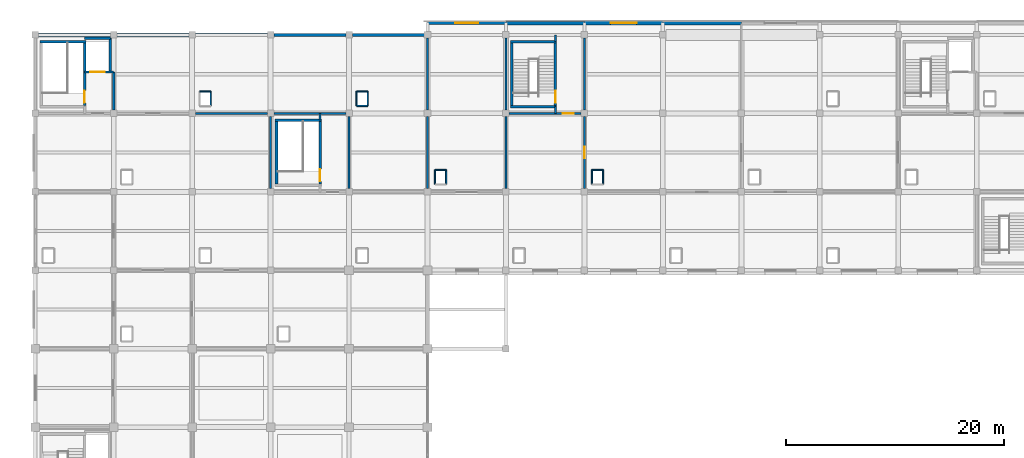
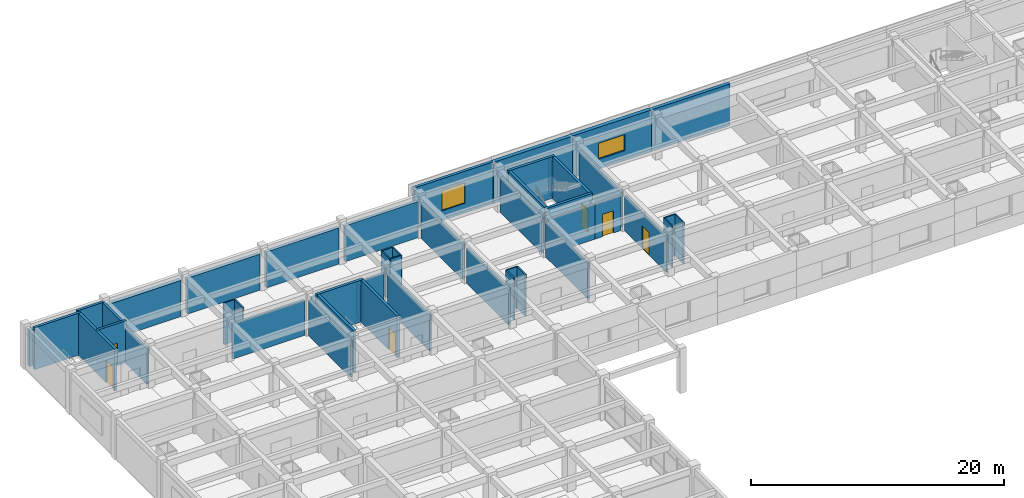
# One storey, part 56 of 70: 50 walls, 6 doors, 2 windows, 8 openings.
"""IFC4 building model written with IfcOpenShell, lengths in metres."""

from ifc_helpers import new_model, si_unit, direction, frame, frame_2d, origin, place, context, subcontext, project, spatial, rectangle, extrude, material, layer, layer_set, type_object, element, fill, save


model = new_model("IFC4")

# Units and contexts
model_context = context("Model", 3, precision=1e-05, world=origin(), true_north=direction((0.0, 1.0)))
body_context = subcontext(model_context, "Body", "Model", "MODEL_VIEW")
ifc_project = project(units=[si_unit("LENGTHUNIT", "METRE"), si_unit("AREAUNIT", "SQUARE_METRE"), si_unit("VOLUMEUNIT", "CUBIC_METRE"), si_unit("PLANEANGLEUNIT", "RADIAN"), si_unit("MASSUNIT", "GRAM", prefix="KILO")], contexts=[model_context])

# Site, building, storey
site_placement = place(None, origin())
site = spatial("IfcSite", under=ifc_project, at=site_placement, CompositionType="ELEMENT")
building_placement = place(site_placement, origin())
building = spatial("IfcBuilding", under=site, at=building_placement, Name="Kavelor Marine Aquarium", CompositionType="ELEMENT")
storey_placement = place(building_placement, frame((0.0, 0.0, 9.179931640625)))
storey = spatial("IfcBuildingStorey", under=building, at=storey_placement, Name="L02", CompositionType="ELEMENT", Elevation=9.179931640625)

# Wall
ifc_material_1 = material(Name="Concrete C45/55", Category="concrete")
ifc_layer_1 = layer(ifc_material_1, 0.360107421875)
ifc_layer_set_1 = layer_set([ifc_layer_1], Name="WL-EX1")
wall_type_1 = type_object("IfcWallType", Name="WL-EX1", PredefinedType="STANDARD", material=ifc_layer_set_1)
wall_1_placement = place(storey_placement, frame((10.695068359375, 110.800048828125, 0.0), z_axis=(0.0, 0.0, 1.0), x_axis=(1.0, 0.0, 0.0)))
element("IfcWall", 1, at=wall_1_placement, inside=storey, type_object=wall_type_1, Name="ew:x:L02:01_15", PredefinedType="STANDARD", context=body_context, shape_type="SweptSolid", body=[
    extrude(rectangle(XDim=6.60986328125, YDim=0.360107421875, at=frame_2d((3.304931640625, 0.0))), origin(), (0.0, 0.0, 1.0), 3.47998046875),
])

# Wall, opening, window
wall_2_placement = place(storey_placement, frame((53.60009765625, 111.8798828125, 0.0), z_axis=(0.0, 0.0, 1.0), x_axis=(1.0, 0.0, 0.0)))
wall_2 = element("IfcWall", 2, at=wall_2_placement, inside=storey, type_object=wall_type_1, Name="ew:x:L02:07_15", PredefinedType="STANDARD", context=body_context, shape_type="SweptSolid", body=[
    extrude(rectangle(XDim=7.199951171875, YDim=0.360107421875, at=frame_2d((3.60009765625, 0.0))), origin(), (0.0, 0.0, 1.0), 4.030029296875),
])
opening_1_placement = place(wall_2_placement, frame((2.39990234375, 0.0, 0.949951171875)))
opening_1 = element("IfcOpeningElement", 3, at=opening_1_placement, cuts=wall_2, Name="Opening W14", PredefinedType="OPENING", context=body_context, shape_type="SweptSolid", body=[
    extrude(rectangle(XDim=2.39990234375, YDim=1.550048828125, at=frame_2d((1.199951171875, 0.77490234375))), frame((0.0, 0.18994140625, 0.0), z_axis=(0.0, -1.0, 0.0), x_axis=(1.0, 0.0, 0.0)), (0.0, 0.0, 1.0), 0.380107),
])
ifc_material_2 = material(Name="Anodised Aluminium Frame with Low-E Double Glazing", Category="aluminium")
window_type_1 = type_object("IfcWindowType", Name="WIN-W14", PartitioningType="DOUBLE_PANEL_VERTICAL", PredefinedType="WINDOW", material=ifc_material_2)
window_1_placement = place(opening_1_placement, origin())
window_1 = element("IfcWindow", 4, at=window_1_placement, inside=storey, type_object=window_type_1, Name="win:x:L02:07_15", OverallHeight=1.550048828125, OverallWidth=2.39990234375, PartitioningType="SINGLE_PANEL", PredefinedType="WINDOW", context=body_context, shape_type="SweptSolid", body=[
    extrude(rectangle(XDim=2.39990234375, YDim=1.550048828125, at=frame_2d((1.199951171875, 0.77490234375))), frame((0.0, 0.030029296875, 0.0), z_axis=(0.0, -1.0, 0.0), x_axis=(1.0, 0.0, 0.0)), (0.0, 0.0, 1.0), 0.06005859375),
])
fill(opening_1, window_1)

# Walls
ifc_material_3 = material(Name="Concrete C45/55", Category="concrete")
ifc_layer_2 = layer(ifc_material_3, 0.320068359375)
ifc_layer_set_2 = layer_set([ifc_layer_2], Name="WL-EX2")
wall_type_2 = type_object("IfcWallType", Name="WL-EX2", PredefinedType="STANDARD", material=ifc_layer_set_2)
wall_3_placement = place(storey_placement, frame((17.89501953125, 110.800048828125, 0.0), z_axis=(0.0, 0.0, 1.0), x_axis=(1.0, 0.0, 0.0)))
element("IfcWall", 5, at=wall_3_placement, inside=storey, type_object=wall_type_2, Name="ew:x:L02:02_15", PredefinedType="STANDARD", context=body_context, shape_type="SweptSolid", body=[
    extrude(rectangle(XDim=6.60986328125, YDim=0.320068359375, at=frame_2d((3.304931640625, 0.0))), origin(), (0.0, 0.0, 1.0), 3.47998046875),
])
wall_4_placement = place(storey_placement, frame((60.800048828125, 111.8798828125, 0.0), z_axis=(0.0, 0.0, 1.0), x_axis=(1.0, 0.0, 0.0)))
element("IfcWall", 6, at=wall_4_placement, inside=storey, type_object=wall_type_2, Name="ew:x:L02:08_15", PredefinedType="STANDARD", context=body_context, shape_type="SweptSolid", body=[
    extrude(rectangle(XDim=7.199951171875, YDim=0.320068359375, at=frame_2d((3.60009765625, 0.0))), origin(), (0.0, 0.0, 1.0), 4.010009765625),
])
ifc_material_4 = material(Name="Concrete C40/50", Category="concrete")
ifc_layer_3 = layer(ifc_material_4, 0.300048828125)
ifc_layer_set_3 = layer_set([ifc_layer_3], Name="WL-EX3")
wall_type_3 = type_object("IfcWallType", Name="WL-EX3", PredefinedType="STANDARD", material=ifc_layer_set_3)
wall_5_placement = place(storey_placement, frame((25.094970703125, 110.800048828125, 0.0), z_axis=(0.0, 0.0, 1.0), x_axis=(1.0, 0.0, 0.0)))
element("IfcWall", 7, at=wall_5_placement, inside=storey, type_object=wall_type_3, Name="ew:x:L02:03_15", PredefinedType="STANDARD", context=body_context, shape_type="SweptSolid", body=[
    extrude(rectangle(XDim=6.610107421875, YDim=0.300048828125, at=frame_2d((3.30517578125, 0.0))), origin(), (0.0, 0.0, 1.0), 3.47998046875),
])
ifc_material_5 = material(Name="Concrete C40/50", Category="concrete")
ifc_layer_4 = layer(ifc_material_5, 0.280029296875)
ifc_layer_set_4 = layer_set([ifc_layer_4], Name="WL-EX4")
wall_type_4 = type_object("IfcWallType", Name="WL-EX4", PredefinedType="STANDARD", material=ifc_layer_set_4)
wall_6_placement = place(storey_placement, frame((32.294921875, 110.800048828125, 0.0), z_axis=(0.0, 0.0, 1.0), x_axis=(1.0, 0.0, 0.0)))
element("IfcWall", 8, at=wall_6_placement, inside=storey, type_object=wall_type_4, Name="ew:x:L02:04_15", PredefinedType="STANDARD", context=body_context, shape_type="SweptSolid", body=[
    extrude(rectangle(XDim=6.610107421875, YDim=0.280029296875, at=frame_2d((3.30517578125, 0.0))), origin(), (0.0, 0.0, 1.0), 3.47998046875),
])

# Wall, opening, window
ifc_material_6 = material(Name="Concrete C40/50", Category="concrete")
ifc_layer_5 = layer(ifc_material_6, 0.260009765625)
ifc_layer_set_5 = layer_set([ifc_layer_5], Name="WL-EX5")
wall_type_5 = type_object("IfcWallType", Name="WL-EX5", PredefinedType="STANDARD", material=ifc_layer_set_5)
wall_7_placement = place(storey_placement, frame((39.199951171875, 111.8798828125, 0.0), z_axis=(0.0, 0.0, 1.0), x_axis=(1.0, 0.0, 0.0)))
wall_7 = element("IfcWall", 9, at=wall_7_placement, inside=storey, type_object=wall_type_5, Name="ew:x:L02:05_15", PredefinedType="STANDARD", context=body_context, shape_type="SweptSolid", body=[
    extrude(rectangle(XDim=7.199951171875, YDim=0.260009765625, at=frame_2d((3.60009765625, 0.0))), origin(), (0.0, 0.0, 1.0), 4.030029296875),
])
opening_2_placement = place(wall_7_placement, frame((2.550048828125, 0.0, 0.949951171875)))
opening_2 = element("IfcOpeningElement", 10, at=opening_2_placement, cuts=wall_7, Name="Opening W11", PredefinedType="OPENING", context=body_context, shape_type="SweptSolid", body=[
    extrude(rectangle(XDim=2.10009765625, YDim=1.949951171875, at=frame_2d((1.050048828125, 0.97509765625))), frame((0.0, 0.139892578125, 0.0), z_axis=(0.0, -1.0, 0.0), x_axis=(1.0, 0.0, 0.0)), (0.0, 0.0, 1.0), 0.28001),
])
ifc_material_7 = material(Name="Anodised Aluminium Frame with Low-E Double Glazing", Category="aluminium")
window_type_2 = type_object("IfcWindowType", Name="WIN-W11", PartitioningType="DOUBLE_PANEL_VERTICAL", PredefinedType="WINDOW", material=ifc_material_7)
window_2_placement = place(opening_2_placement, origin())
window_2 = element("IfcWindow", 11, at=window_2_placement, inside=storey, type_object=window_type_2, Name="win:x:L02:05_15", OverallHeight=1.949951171875, OverallWidth=2.10009765625, PartitioningType="SINGLE_PANEL", PredefinedType="WINDOW", context=body_context, shape_type="SweptSolid", body=[
    extrude(rectangle(XDim=2.10009765625, YDim=1.949951171875, at=frame_2d((1.050048828125, 0.97509765625))), frame((0.0, 0.030029296875, 0.0), z_axis=(0.0, -1.0, 0.0), x_axis=(1.0, 0.0, 0.0)), (0.0, 0.0, 1.0), 0.06005859375),
])
fill(opening_2, window_2)

# Walls
ifc_material_8 = material(Name="Concrete C45/55", Category="concrete")
ifc_layer_6 = layer(ifc_material_8, 0.340087890625)
ifc_layer_set_6 = layer_set([ifc_layer_6], Name="WL-EX6")
wall_type_6 = type_object("IfcWallType", Name="WL-EX6", PredefinedType="STANDARD", material=ifc_layer_set_6)
wall_8_placement = place(storey_placement, frame((3.4951171875, 110.800048828125, 0.0), z_axis=(0.0, 0.0, 1.0), x_axis=(1.0, 0.0, 0.0)))
element("IfcWall", 12, at=wall_8_placement, inside=storey, type_object=wall_type_6, Name="ew:x:L02:00_15", PredefinedType="STANDARD", context=body_context, shape_type="SweptSolid", body=[
    extrude(rectangle(XDim=6.60986328125, YDim=0.340087890625, at=frame_2d((3.304931640625, 0.0))), origin(), (0.0, 0.0, 1.0), 3.47998046875),
])
wall_9_placement = place(storey_placement, frame((46.39990234375, 111.8798828125, 0.0), z_axis=(0.0, 0.0, 1.0), x_axis=(1.0, 0.0, 0.0)))
element("IfcWall", 13, at=wall_9_placement, inside=storey, type_object=wall_type_6, Name="ew:x:L02:06_15", PredefinedType="STANDARD", context=body_context, shape_type="SweptSolid", body=[
    extrude(rectangle(XDim=7.2001953125, YDim=0.340087890625, at=frame_2d((3.60009765625, 0.0))), origin(), (0.0, 0.0, 1.0), 4.010009765625),
])
ifc_material_9 = material(Name="Concrete Blockwork Partition", Category="masonry")
ifc_layer_7 = layer(ifc_material_9, 0.199951171875)
ifc_layer_set_7 = layer_set([ifc_layer_7], Name="WL-PT1")
wall_type_7 = type_object("IfcWallType", Name="WL-PT1", PredefinedType="PARTITIONING", material=ifc_layer_set_7)
wall_10_placement = place(storey_placement, frame((10.39990234375, 103.89990234375, 0.0), z_axis=(0.0, 0.0, 1.0), x_axis=(0.0, 1.0, 0.0)))
element("IfcWall", 14, at=wall_10_placement, inside=storey, type_object=wall_type_7, Name="pt:lob:C01:L02:e", PredefinedType="PARTITIONING", context=body_context, shape_type="SweptSolid", body=[
    extrude(rectangle(XDim=3.5, YDim=0.199951171875, at=frame_2d((1.75, 0.0))), origin(), (0.0, 0.0, 1.0), 3.380126953125),
])
wall_11_placement = place(storey_placement, frame((29.340087890625, 102.97998046875, 0.0), z_axis=(0.0, 0.0, 1.0), x_axis=(0.0, 1.0, 0.0)))
element("IfcWall", 15, at=wall_11_placement, inside=storey, type_object=wall_type_7, Name="pt:st_close:n:C02:L02", PredefinedType="PARTITIONING", context=body_context, shape_type="SweptSolid", body=[
    extrude(rectangle(XDim=0.6201171875, YDim=0.199951171875, at=frame_2d((0.31005859375, 0.0))), origin(), (0.0, 0.0, 1.0), 3.43017578125),
])
for number, where, z_axis, x_axis, name in (
    (16, (24.800048828125, 96.699951171875, 0.0), (0.0, 0.0, 1.0), (0.0, 1.0, 0.0), "pt:lob:C02:L02:w"),
    (17, (32.0, 96.699951171875, 0.0), (0.0, 0.0, 1.0), (0.0, 1.0, 0.0), "pt:lob:C02:L02:e"),
):
    element("IfcWall", number, at=place(storey_placement, frame(where, z_axis=z_axis, x_axis=x_axis)), inside=storey, type_object=wall_type_7, Name=name, PredefinedType="PARTITIONING", context=body_context, shape_type="SweptSolid", body=[
        extrude(rectangle(XDim=6.60009765625, YDim=0.199951171875, at=frame_2d((3.300048828125, 0.0))), origin(), (0.0, 0.0, 1.0), 3.43017578125),
    ])
wall_12_placement = place(storey_placement, frame((25.10009765625, 103.60009765625, 0.0), z_axis=(0.0, 0.0, 1.0), x_axis=(1.0, 0.0, 0.0)))
element("IfcWall", 18, at=wall_12_placement, inside=storey, type_object=wall_type_7, Name="pt:lob:C02:L02:n_st", PredefinedType="PARTITIONING", context=body_context, shape_type="SweptSolid", body=[
    extrude(rectangle(XDim=4.239990234375, YDim=0.199951171875, at=frame_2d((2.1201171875, 0.0))), origin(), (0.0, 0.0, 1.0), 3.43017578125),
])
wall_13_placement = place(storey_placement, frame((29.340087890625, 103.60009765625, 0.0), z_axis=(0.0, 0.0, 1.0), x_axis=(1.0, 0.0, 0.0)))
element("IfcWall", 19, at=wall_13_placement, inside=storey, type_object=wall_type_7, Name="pt:lob:C02:L02:n", PredefinedType="PARTITIONING", context=body_context, shape_type="SweptSolid", body=[
    extrude(rectangle(XDim=2.35986328125, YDim=0.199951171875, at=frame_2d((1.179931640625, 0.0))), origin(), (0.0, 0.0, 1.0), 3.43017578125),
])
wall_14_placement = place(storey_placement, frame((50.93994140625, 103.60009765625, 0.0), z_axis=(0.0, 0.0, 1.0), x_axis=(0.0, 1.0, 0.0)))
element("IfcWall", 20, at=wall_14_placement, inside=storey, type_object=wall_type_7, Name="pt:st_close:s:C05:L02", PredefinedType="PARTITIONING", context=body_context, shape_type="SweptSolid", body=[
    extrude(rectangle(XDim=0.619873046875, YDim=0.199951171875, at=frame_2d((0.31005859375, 0.0))), origin(), (0.0, 0.0, 1.0), 3.360107421875),
])
wall_15_placement = place(storey_placement, frame((50.93994140625, 110.179931640625, 0.0), z_axis=(0.0, 0.0, 1.0), x_axis=(0.0, 1.0, 0.0)))
element("IfcWall", 21, at=wall_15_placement, inside=storey, type_object=wall_type_7, Name="pt:st_close:n:C05:L02", PredefinedType="PARTITIONING", context=body_context, shape_type="SweptSolid", body=[
    extrude(rectangle(XDim=0.6201171875, YDim=0.199951171875, at=frame_2d((0.31005859375, 0.0))), origin(), (0.0, 0.0, 1.0), 3.4599609375),
])
for number, where, z_axis, x_axis, name in (
    (22, (46.39990234375, 103.89990234375, 0.0), (0.0, 0.0, 1.0), (0.0, 1.0, 0.0), "pt:lob:C05:L02:w"),
    (23, (53.60009765625, 103.89990234375, 0.0), (0.0, 0.0, 1.0), (0.0, 1.0, 0.0), "pt:lob:C05:L02:e"),
):
    element("IfcWall", number, at=place(storey_placement, frame(where, z_axis=z_axis, x_axis=x_axis)), inside=storey, type_object=wall_type_7, Name=name, PredefinedType="PARTITIONING", context=body_context, shape_type="SweptSolid", body=[
        extrude(rectangle(XDim=6.60009765625, YDim=0.199951171875, at=frame_2d((3.300048828125, 0.0))), origin(), (0.0, 0.0, 1.0), 3.360107421875),
    ])
wall_16_placement = place(storey_placement, frame((46.699951171875, 103.60009765625, 0.0), z_axis=(0.0, 0.0, 1.0), x_axis=(1.0, 0.0, 0.0)))
element("IfcWall", 24, at=wall_16_placement, inside=storey, type_object=wall_type_7, Name="pt:lob:C05:L02:s_st", PredefinedType="PARTITIONING", context=body_context, shape_type="SweptSolid", body=[
    extrude(rectangle(XDim=4.239990234375, YDim=0.199951171875, at=frame_2d((2.1201171875, 0.0))), origin(), (0.0, 0.0, 1.0), 3.360107421875),
])

# Wall, opening, door
wall_17_placement = place(storey_placement, frame((50.93994140625, 103.60009765625, 0.0), z_axis=(0.0, 0.0, 1.0), x_axis=(1.0, 0.0, 0.0)))
wall_17 = element("IfcWall", 25, at=wall_17_placement, inside=storey, type_object=wall_type_7, Name="pt:lob:C05:L02:s", PredefinedType="PARTITIONING", context=body_context, shape_type="SweptSolid", body=[
    extrude(rectangle(XDim=2.360107421875, YDim=0.199951171875, at=frame_2d((1.18017578125, 0.0))), origin(), (0.0, 0.0, 1.0), 3.360107421875),
])
opening_3_placement = place(wall_17_placement, frame((0.669921875, 0.0, 0.0)))
opening_3 = element("IfcOpeningElement", 26, at=opening_3_placement, cuts=wall_17, Name="Opening SD1", PredefinedType="OPENING", context=body_context, shape_type="SweptSolid", body=[
    extrude(rectangle(XDim=1.02001953125, YDim=2.14990234375, at=frame_2d((0.510009765625, 1.074951171875))), frame((0.0, 0.10986328125, 0.0), z_axis=(0.0, -1.0, 0.0), x_axis=(1.0, 0.0, 0.0)), (0.0, 0.0, 1.0), 0.219951),
])
ifc_material_10 = material(Name="Fire-Rated Corridor Compartment Door")
door_type_1 = type_object("IfcDoorType", Name="DR-SD1", OperationType="NOTDEFINED", PredefinedType="DOOR", material=ifc_material_10)
door_1_placement = place(opening_3_placement, origin())
door_1 = element("IfcDoor", 27, at=door_1_placement, inside=storey, type_object=door_type_1, Name="Core Lobby Fire Door C05-L02", OperationType="SINGLE_SWING_RIGHT", OverallHeight=2.14990234375, OverallWidth=1.02001953125, PredefinedType="DOOR", context=body_context, shape_type="SweptSolid", body=[
    extrude(rectangle(XDim=1.02001953125, YDim=2.14990234375, at=frame_2d((0.510009765625, 1.074951171875))), frame((0.0, 0.02490234375, 0.0), z_axis=(0.0, -1.0, 0.0), x_axis=(1.0, 0.0, 0.0)), (0.0, 0.0, 1.0), 0.050048828125),
])
fill(opening_3, door_1)

# Walls
wall_18_placement = place(storey_placement, frame((17.89990234375, 103.60009765625, 0.0), z_axis=(0.0, 0.0, 1.0), x_axis=(1.0, 0.0, 0.0)))
element("IfcWall", 28, at=wall_18_placement, inside=storey, type_object=wall_type_7, Name="pt:x:L02:02_13", PredefinedType="PARTITIONING", context=body_context, shape_type="SweptSolid", body=[
    extrude(rectangle(XDim=6.60009765625, YDim=0.199951171875, at=frame_2d((3.300048828125, 0.0))), origin(), (0.0, 0.0, 1.0), 3.380126953125),
])
wall_19_placement = place(storey_placement, frame((39.199951171875, 96.699951171875, 0.0), z_axis=(0.0, 0.0, 1.0), x_axis=(0.0, 1.0, 0.0)))
element("IfcWall", 29, at=wall_19_placement, inside=storey, type_object=wall_type_7, Name="pt:y:L02:04_13", PredefinedType="PARTITIONING", context=body_context, shape_type="SweptSolid", body=[
    extrude(rectangle(XDim=6.60009765625, YDim=0.199951171875, at=frame_2d((3.300048828125, 0.0))), origin(), (0.0, 0.0, 1.0), 3.41015625),
])
wall_20_placement = place(storey_placement, frame((39.199951171875, 103.89990234375, 0.0), z_axis=(0.0, 0.0, 1.0), x_axis=(0.0, 1.0, 0.0)))
element("IfcWall", 30, at=wall_20_placement, inside=storey, type_object=wall_type_7, Name="pt:y:L02:04_14", PredefinedType="PARTITIONING", context=body_context, shape_type="SweptSolid", body=[
    extrude(rectangle(XDim=6.60009765625, YDim=0.199951171875, at=frame_2d((3.300048828125, 0.0))), origin(), (0.0, 0.0, 1.0), 3.380126953125),
])
ifc_material_11 = material(Name="Acoustic Gypsum Stud Partition")
ifc_layer_8 = layer(ifc_material_11, 0.159912109375)
ifc_layer_set_8 = layer_set([ifc_layer_8], Name="WL-PT2")
wall_type_8 = type_object("IfcWallType", Name="WL-PT2", PredefinedType="PARTITIONING", material=ifc_layer_set_8)
wall_21_placement = place(storey_placement, frame((46.39990234375, 96.699951171875, 0.0), z_axis=(0.0, 0.0, 1.0), x_axis=(0.0, 1.0, 0.0)))
element("IfcWall", 31, at=wall_21_placement, inside=storey, type_object=wall_type_8, Name="pt:y:L02:05_13", PredefinedType="PARTITIONING", context=body_context, shape_type="SweptSolid", body=[
    extrude(rectangle(XDim=6.60009765625, YDim=0.159912109375, at=frame_2d((3.300048828125, 0.0))), origin(), (0.0, 0.0, 1.0), 3.41015625),
])

# Wall, opening, door
wall_22_placement = place(storey_placement, frame((53.60009765625, 96.699951171875, 0.0), z_axis=(0.0, 0.0, 1.0), x_axis=(0.0, 1.0, 0.0)))
wall_22 = element("IfcWall", 32, at=wall_22_placement, inside=storey, type_object=wall_type_8, Name="pt:y:L02:06_13", PredefinedType="PARTITIONING", context=body_context, shape_type="SweptSolid", body=[
    extrude(rectangle(XDim=6.60009765625, YDim=0.159912109375, at=frame_2d((3.300048828125, 0.0))), origin(), (0.0, 0.0, 1.0), 3.41015625),
])
opening_4_placement = place(wall_22_placement, frame((2.760009765625, 0.0, 0.0)))
opening_4 = element("IfcOpeningElement", 33, at=opening_4_placement, cuts=wall_22, Name="Opening D08", PredefinedType="OPENING", context=body_context, shape_type="SweptSolid", body=[
    extrude(rectangle(XDim=1.080078125, YDim=2.159912109375, at=frame_2d((0.5400390625, 1.080078125))), frame((0.0, 0.08984375, 0.0), z_axis=(0.0, -1.0, 0.0), x_axis=(1.0, 0.0, 0.0)), (0.0, 0.0, 1.0), 0.179912),
])
ifc_material_12 = material(Name="Discovery Wet Lab Vision Door")
door_type_2 = type_object("IfcDoorType", Name="DR-D08", OperationType="NOTDEFINED", PredefinedType="DOOR", material=ifc_material_12)
door_2_placement = place(opening_4_placement, origin())
door_2 = element("IfcDoor", 34, at=door_2_placement, inside=storey, type_object=door_type_2, Name="dr:rm:pt:y:L02:06_13:0", OperationType="SINGLE_SWING_LEFT", OverallHeight=2.159912109375, OverallWidth=1.080078125, PredefinedType="DOOR", context=body_context, shape_type="SweptSolid", body=[
    extrude(rectangle(XDim=1.080078125, YDim=2.159912109375, at=frame_2d((0.5400390625, 1.080078125))), frame((0.0, 0.02490234375, 0.0), z_axis=(0.0, -1.0, 0.0), x_axis=(1.0, 0.0, 0.0)), (0.0, 0.0, 1.0), 0.050048828125),
])
fill(opening_4, door_2)

# Walls
ifc_material_13 = material(Name="Lightweight Drywall Partition")
ifc_layer_9 = layer(ifc_material_13, 0.1201171875)
ifc_layer_set_9 = layer_set([ifc_layer_9], Name="WL-PT4")
wall_type_9 = type_object("IfcWallType", Name="WL-PT4", PredefinedType="PARTITIONING", material=ifc_layer_set_9)
wall_23_placement = place(storey_placement, frame((18.2900390625, 105.610107421875, 0.0), z_axis=(0.0, 0.0, 1.0), x_axis=(1.0, 0.0, 0.0)))
element("IfcWall", 35, at=wall_23_placement, inside=storey, type_object=wall_type_9, Name="riser:n:L02:02_14", PredefinedType="PARTITIONING", context=body_context, shape_type="SweptSolid", body=[
    extrude(rectangle(XDim=1.02001953125, YDim=0.1201171875, at=frame_2d((0.510009765625, 0.0))), origin(), (0.0, 0.0, 1.0), 4.02001953125),
])
wall_24_placement = place(storey_placement, frame((19.31005859375, 104.2900390625, 0.0), z_axis=(0.0, 0.0, 1.0), x_axis=(0.0, 1.0, 0.0)))
element("IfcWall", 36, at=wall_24_placement, inside=storey, type_object=wall_type_9, Name="riser:e:L02:02_14", PredefinedType="PARTITIONING", context=body_context, shape_type="SweptSolid", body=[
    extrude(rectangle(XDim=1.320068359375, YDim=0.1201171875, at=frame_2d((0.66015625, 0.0))), origin(), (0.0, 0.0, 1.0), 4.02001953125),
])
for number, where, z_axis, x_axis, name in (
    (37, (32.68994140625, 104.2900390625, 0.0), (0.0, 0.0, 1.0), (1.0, 0.0, 0.0), "riser:s:L02:04_14"),
    (38, (32.68994140625, 105.610107421875, 0.0), (0.0, 0.0, 1.0), (1.0, 0.0, 0.0), "riser:n:L02:04_14"),
):
    element("IfcWall", number, at=place(storey_placement, frame(where, z_axis=z_axis, x_axis=x_axis)), inside=storey, type_object=wall_type_9, Name=name, PredefinedType="PARTITIONING", context=body_context, shape_type="SweptSolid", body=[
        extrude(rectangle(XDim=1.02001953125, YDim=0.1201171875, at=frame_2d((0.510009765625, 0.0))), origin(), (0.0, 0.0, 1.0), 4.02001953125),
    ])
for number, where, z_axis, x_axis, name in (
    (39, (32.68994140625, 104.2900390625, 0.0), (0.0, 0.0, 1.0), (0.0, 1.0, 0.0), "riser:w:L02:04_14"),
    (40, (33.7099609375, 104.2900390625, 0.0), (0.0, 0.0, 1.0), (0.0, 1.0, 0.0), "riser:e:L02:04_14"),
):
    element("IfcWall", number, at=place(storey_placement, frame(where, z_axis=z_axis, x_axis=x_axis)), inside=storey, type_object=wall_type_9, Name=name, PredefinedType="PARTITIONING", context=body_context, shape_type="SweptSolid", body=[
        extrude(rectangle(XDim=1.320068359375, YDim=0.1201171875, at=frame_2d((0.66015625, 0.0))), origin(), (0.0, 0.0, 1.0), 4.02001953125),
    ])
wall_25_placement = place(storey_placement, frame((39.889892578125, 98.409912109375, 0.0), z_axis=(0.0, 0.0, 1.0), x_axis=(1.0, 0.0, 0.0)))
element("IfcWall", 41, at=wall_25_placement, inside=storey, type_object=wall_type_9, Name="riser:n:L02:05_13", PredefinedType="PARTITIONING", context=body_context, shape_type="SweptSolid", body=[
    extrude(rectangle(XDim=1.02001953125, YDim=0.1201171875, at=frame_2d((0.510009765625, 0.0))), origin(), (0.0, 0.0, 1.0), 4.0),
])
for number, where, z_axis, x_axis, name in (
    (42, (39.889892578125, 97.090087890625, 0.0), (0.0, 0.0, 1.0), (0.0, 1.0, 0.0), "riser:w:L02:05_13"),
    (43, (40.909912109375, 97.090087890625, 0.0), (0.0, 0.0, 1.0), (0.0, 1.0, 0.0), "riser:e:L02:05_13"),
):
    element("IfcWall", number, at=place(storey_placement, frame(where, z_axis=z_axis, x_axis=x_axis)), inside=storey, type_object=wall_type_9, Name=name, PredefinedType="PARTITIONING", context=body_context, shape_type="SweptSolid", body=[
        extrude(rectangle(XDim=1.31982421875, YDim=0.1201171875, at=frame_2d((0.659912109375, 0.0))), origin(), (0.0, 0.0, 1.0), 4.0),
    ])
wall_26_placement = place(storey_placement, frame((54.2900390625, 98.409912109375, 0.0), z_axis=(0.0, 0.0, 1.0), x_axis=(1.0, 0.0, 0.0)))
element("IfcWall", 44, at=wall_26_placement, inside=storey, type_object=wall_type_9, Name="riser:n:L02:07_13", PredefinedType="PARTITIONING", context=body_context, shape_type="SweptSolid", body=[
    extrude(rectangle(XDim=1.02001953125, YDim=0.1201171875, at=frame_2d((0.510009765625, 0.0))), origin(), (0.0, 0.0, 1.0), 4.0),
])
for number, where, z_axis, x_axis, name in (
    (45, (54.2900390625, 97.090087890625, 0.0), (0.0, 0.0, 1.0), (0.0, 1.0, 0.0), "riser:w:L02:07_13"),
    (46, (55.31005859375, 97.090087890625, 0.0), (0.0, 0.0, 1.0), (0.0, 1.0, 0.0), "riser:e:L02:07_13"),
):
    element("IfcWall", number, at=place(storey_placement, frame(where, z_axis=z_axis, x_axis=x_axis)), inside=storey, type_object=wall_type_9, Name=name, PredefinedType="PARTITIONING", context=body_context, shape_type="SweptSolid", body=[
        extrude(rectangle(XDim=1.31982421875, YDim=0.1201171875, at=frame_2d((0.659912109375, 0.0))), origin(), (0.0, 0.0, 1.0), 4.0),
    ])
ifc_material_14 = material(Name="Concrete C40/50", Category="concrete")
ifc_layer_10 = layer(ifc_material_14, 0.35009765625)
ifc_layer_set_10 = layer_set([ifc_layer_10], Name="WL-SW2")
wall_type_10 = type_object("IfcWallType", Name="WL-SW2", PredefinedType="SHEAR", material=ifc_layer_set_10)
wall_27_placement = place(storey_placement, frame((3.6201171875, 110.179931640625, 0.0), z_axis=(0.0, 0.0, 1.0), x_axis=(1.0, 0.0, 0.0)))
element("IfcWall", 47, at=wall_27_placement, inside=storey, type_object=wall_type_10, Name="cw_st:n:C01:L02", PredefinedType="SHEAR", context=body_context, shape_type="SweptSolid", body=[
    extrude(rectangle(XDim=4.239990234375, YDim=0.239990234375, at=frame_2d((2.1201171875, 0.0))), origin(), (0.0, 0.0, 1.0), 4.0400390625),
])

# Wall, opening, door
wall_28_placement = place(storey_placement, frame((7.739990234375, 104.340087890625, 0.0), z_axis=(0.0, 0.0, 1.0), x_axis=(0.0, 1.0, 0.0)))
wall_28 = element("IfcWall", 48, at=wall_28_placement, inside=storey, type_object=wall_type_10, Name="cw_st:e:C01:L02", PredefinedType="SHEAR", context=body_context, shape_type="SweptSolid", body=[
    extrude(rectangle(XDim=5.719970703125, YDim=0.239990234375, at=frame_2d((2.85986328125, 0.0))), origin(), (0.0, 0.0, 1.0), 4.0400390625),
])
opening_5_placement = place(wall_28_placement, frame((0.219970703125, 0.0, 0.0)))
opening_5 = element("IfcOpeningElement", 49, at=opening_5_placement, cuts=wall_28, Name="Opening FD1", PredefinedType="OPENING", context=body_context, shape_type="SweptSolid", body=[
    extrude(rectangle(XDim=1.1201171875, YDim=2.14990234375, at=frame_2d((0.56005859375, 1.074951171875))), frame((0.0, 0.1298828125, 0.0), z_axis=(0.0, -1.0, 0.0), x_axis=(1.0, 0.0, 0.0)), (0.0, 0.0, 1.0), 0.25999),
])
ifc_material_15 = material(Name="Fire-Rated Steel Stair and Core Door", Category="steel")
door_type_3 = type_object("IfcDoorType", Name="DR-FD1", OperationType="NOTDEFINED", PredefinedType="DOOR", material=ifc_material_15)
door_3_placement = place(opening_5_placement, origin())
door_3 = element("IfcDoor", 50, at=door_3_placement, inside=storey, type_object=door_type_3, Name="Stair Fire Door ST01-L02", OperationType="SINGLE_SWING_LEFT", OverallHeight=2.14990234375, OverallWidth=1.1201171875, PredefinedType="DOOR", context=body_context, shape_type="SweptSolid", body=[
    extrude(rectangle(XDim=1.1201171875, YDim=2.14990234375, at=frame_2d((0.56005859375, 1.074951171875))), frame((0.0, 0.02490234375, 0.0), z_axis=(0.0, -1.0, 0.0), x_axis=(1.0, 0.0, 0.0)), (0.0, 0.0, 1.0), 0.050048828125),
])
fill(opening_5, door_3)

wall_29_placement = place(storey_placement, frame((7.739990234375, 107.39990234375, 0.0), z_axis=(0.0, 0.0, 1.0), x_axis=(1.0, 0.0, 0.0)))
wall_29 = element("IfcWall", 51, at=wall_29_placement, inside=storey, type_object=wall_type_10, Name="cw_lf:s:C01:L02", PredefinedType="SHEAR", context=body_context, shape_type="SweptSolid", body=[
    extrude(rectangle(XDim=2.659912109375, YDim=0.219970703125, at=frame_2d((1.330078125, 0.0))), origin(), (0.0, 0.0, 1.0), 4.0400390625),
])
opening_6_placement = place(wall_29_placement, frame((0.510009765625, 0.0, 0.0)))
opening_6 = element("IfcOpeningElement", 52, at=opening_6_placement, cuts=wall_29, Name="Opening LD2", PredefinedType="OPENING", context=body_context, shape_type="SweptSolid", body=[
    extrude(rectangle(XDim=1.340087890625, YDim=2.14990234375, at=frame_2d((0.669921875, 1.074951171875))), frame((0.0, 0.119873046875, 0.0), z_axis=(0.0, -1.0, 0.0), x_axis=(1.0, 0.0, 0.0)), (0.0, 0.0, 1.0), 0.239971),
])
ifc_material_16 = material(Name="Stainless Steel Goods and Stretcher Lift Sliding Door", Category="steel")
door_type_4 = type_object("IfcDoorType", Name="DR-LD2", OperationType="NOTDEFINED", PredefinedType="DOOR", material=ifc_material_16)
door_4_placement = place(opening_6_placement, origin())
door_4 = element("IfcDoor", 53, at=door_4_placement, inside=storey, type_object=door_type_4, Name="Lift Landing Sliding Door GL1-L02", OperationType="DOUBLE_DOOR_SLIDING", OverallHeight=2.14990234375, OverallWidth=1.340087890625, PredefinedType="DOOR", context=body_context, shape_type="SweptSolid", body=[
    extrude(rectangle(XDim=1.340087890625, YDim=2.14990234375, at=frame_2d((0.669921875, 1.074951171875))), frame((0.0, 0.02490234375, 0.0), z_axis=(0.0, -1.0, 0.0), x_axis=(1.0, 0.0, 0.0)), (0.0, 0.0, 1.0), 0.050048828125),
])
fill(opening_6, door_4)

# Walls
wall_30_placement = place(storey_placement, frame((7.739990234375, 110.5, 0.0), z_axis=(0.0, 0.0, 1.0), x_axis=(1.0, 0.0, 0.0)))
element("IfcWall", 54, at=wall_30_placement, inside=storey, type_object=wall_type_10, Name="cw_lf:n:C01:L02", PredefinedType="SHEAR", context=body_context, shape_type="SweptSolid", body=[
    extrude(rectangle(XDim=2.360107421875, YDim=0.219970703125, at=frame_2d((1.18017578125, 0.0))), origin(), (0.0, 0.0, 1.0), 4.0400390625),
])
wall_31_placement = place(storey_placement, frame((10.10009765625, 107.39990234375, 0.0), z_axis=(0.0, 0.0, 1.0), x_axis=(0.0, 1.0, 0.0)))
element("IfcWall", 55, at=wall_31_placement, inside=storey, type_object=wall_type_10, Name="cw_lf:e:C01:L02", PredefinedType="SHEAR", context=body_context, shape_type="SweptSolid", body=[
    extrude(rectangle(XDim=3.10009765625, YDim=0.219970703125, at=frame_2d((1.550048828125, 0.0))), origin(), (0.0, 0.0, 1.0), 4.0400390625),
])
wall_32_placement = place(storey_placement, frame((25.219970703125, 102.97998046875, 0.0), z_axis=(0.0, 0.0, 1.0), x_axis=(1.0, 0.0, 0.0)))
element("IfcWall", 56, at=wall_32_placement, inside=storey, type_object=wall_type_10, Name="cw_st:n:C02:L02", PredefinedType="SHEAR", context=body_context, shape_type="SweptSolid", body=[
    extrude(rectangle(XDim=4.239990234375, YDim=0.239990234375, at=frame_2d((2.1201171875, 0.0))), origin(), (0.0, 0.0, 1.0), 4.0400390625),
])
wall_33_placement = place(storey_placement, frame((25.340087890625, 97.139892578125, 0.0), z_axis=(0.0, 0.0, 1.0), x_axis=(0.0, 1.0, 0.0)))
element("IfcWall", 57, at=wall_33_placement, inside=storey, type_object=wall_type_10, Name="cw_st:w:C02:L02", PredefinedType="SHEAR", context=body_context, shape_type="SweptSolid", body=[
    extrude(rectangle(XDim=5.72021484375, YDim=0.239990234375, at=frame_2d((2.860107421875, 0.0))), origin(), (0.0, 0.0, 1.0), 4.0400390625),
])

# Wall, opening, door
wall_34_placement = place(storey_placement, frame((29.340087890625, 97.139892578125, 0.0), z_axis=(0.0, 0.0, 1.0), x_axis=(0.0, 1.0, 0.0)))
wall_34 = element("IfcWall", 58, at=wall_34_placement, inside=storey, type_object=wall_type_10, Name="cw_st:e:C02:L02", PredefinedType="SHEAR", context=body_context, shape_type="SweptSolid", body=[
    extrude(rectangle(XDim=5.72021484375, YDim=0.239990234375, at=frame_2d((2.860107421875, 0.0))), origin(), (0.0, 0.0, 1.0), 4.0400390625),
])
opening_7_placement = place(wall_34_placement, frame((0.219970703125, 0.0, 0.0)))
opening_7 = element("IfcOpeningElement", 59, at=opening_7_placement, cuts=wall_34, Name="Opening FD1", PredefinedType="OPENING", context=body_context, shape_type="SweptSolid", body=[
    extrude(rectangle(XDim=1.1201171875, YDim=2.14990234375, at=frame_2d((0.56005859375, 1.074951171875))), frame((0.0, 0.1298828125, 0.0), z_axis=(0.0, -1.0, 0.0), x_axis=(1.0, 0.0, 0.0)), (0.0, 0.0, 1.0), 0.25999),
])
door_5_placement = place(opening_7_placement, origin())
door_5 = element("IfcDoor", 60, at=door_5_placement, inside=storey, type_object=door_type_3, Name="Stair Fire Door ST02-L02", OperationType="SINGLE_SWING_LEFT", OverallHeight=2.14990234375, OverallWidth=1.1201171875, PredefinedType="DOOR", context=body_context, shape_type="SweptSolid", body=[
    extrude(rectangle(XDim=1.1201171875, YDim=2.14990234375, at=frame_2d((0.56005859375, 1.074951171875))), frame((0.0, 0.02490234375, 0.0), z_axis=(0.0, -1.0, 0.0), x_axis=(1.0, 0.0, 0.0)), (0.0, 0.0, 1.0), 0.050048828125),
])
fill(opening_7, door_5)

# Walls
for number, where, z_axis, x_axis, name in (
    (61, (46.820068359375, 104.219970703125, 0.0), (0.0, 0.0, 1.0), (1.0, 0.0, 0.0), "cw_st:s:C05:L02"),
    (62, (46.820068359375, 110.179931640625, 0.0), (0.0, 0.0, 1.0), (1.0, 0.0, 0.0), "cw_st:n:C05:L02"),
):
    element("IfcWall", number, at=place(storey_placement, frame(where, z_axis=z_axis, x_axis=x_axis)), inside=storey, type_object=wall_type_10, Name=name, PredefinedType="SHEAR", context=body_context, shape_type="SweptSolid", body=[
        extrude(rectangle(XDim=4.239990234375, YDim=0.239990234375, at=frame_2d((2.1201171875, 0.0))), origin(), (0.0, 0.0, 1.0), 4.02001953125),
    ])
wall_35_placement = place(storey_placement, frame((46.93994140625, 104.340087890625, 0.0), z_axis=(0.0, 0.0, 1.0), x_axis=(0.0, 1.0, 0.0)))
element("IfcWall", 63, at=wall_35_placement, inside=storey, type_object=wall_type_10, Name="cw_st:w:C05:L02", PredefinedType="SHEAR", context=body_context, shape_type="SweptSolid", body=[
    extrude(rectangle(XDim=5.719970703125, YDim=0.239990234375, at=frame_2d((2.85986328125, 0.0))), origin(), (0.0, 0.0, 1.0), 4.02001953125),
])

# Wall, opening, door
wall_36_placement = place(storey_placement, frame((50.93994140625, 104.340087890625, 0.0), z_axis=(0.0, 0.0, 1.0), x_axis=(0.0, 1.0, 0.0)))
wall_36 = element("IfcWall", 64, at=wall_36_placement, inside=storey, type_object=wall_type_10, Name="cw_st:e:C05:L02", PredefinedType="SHEAR", context=body_context, shape_type="SweptSolid", body=[
    extrude(rectangle(XDim=5.719970703125, YDim=0.239990234375, at=frame_2d((2.85986328125, 0.0))), origin(), (0.0, 0.0, 1.0), 4.02001953125),
])
opening_8_placement = place(wall_36_placement, frame((0.219970703125, 0.0, 0.0)))
opening_8 = element("IfcOpeningElement", 65, at=opening_8_placement, cuts=wall_36, Name="Opening FD1", PredefinedType="OPENING", context=body_context, shape_type="SweptSolid", body=[
    extrude(rectangle(XDim=1.1201171875, YDim=2.14990234375, at=frame_2d((0.56005859375, 1.074951171875))), frame((0.0, 0.1298828125, 0.0), z_axis=(0.0, -1.0, 0.0), x_axis=(1.0, 0.0, 0.0)), (0.0, 0.0, 1.0), 0.25999),
])
door_6_placement = place(opening_8_placement, origin())
door_6 = element("IfcDoor", 66, at=door_6_placement, inside=storey, type_object=door_type_3, Name="Stair Fire Door ST05-L02", OperationType="SINGLE_SWING_LEFT", OverallHeight=2.14990234375, OverallWidth=1.1201171875, PredefinedType="DOOR", context=body_context, shape_type="SweptSolid", body=[
    extrude(rectangle(XDim=1.1201171875, YDim=2.14990234375, at=frame_2d((0.56005859375, 1.074951171875))), frame((0.0, 0.02490234375, 0.0), z_axis=(0.0, -1.0, 0.0), x_axis=(1.0, 0.0, 0.0)), (0.0, 0.0, 1.0), 0.050048828125),
])
fill(opening_8, door_6)

save(model, "model.ifc")
